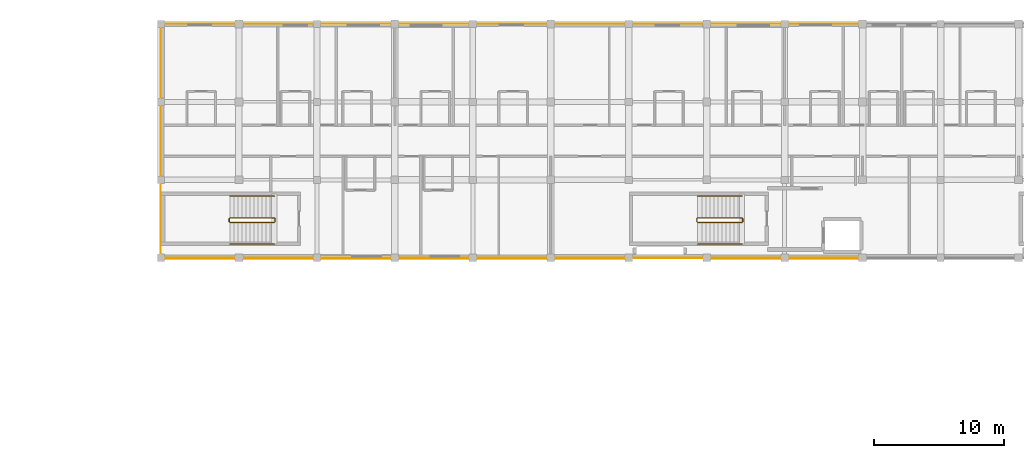
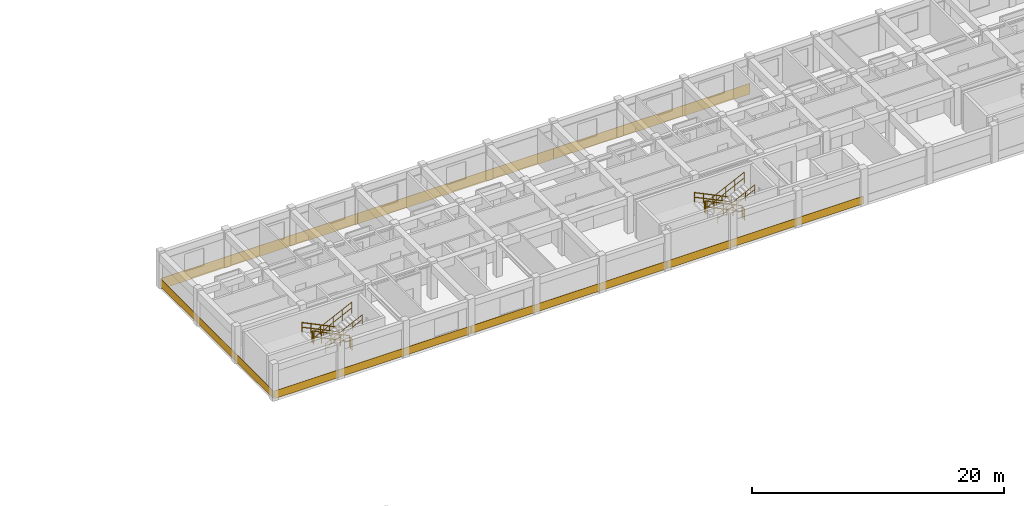
# One storey, part 21 of 25: 12 railings, 7 coverings.
"""IFC4 building model written with IfcOpenShell, lengths in metres."""

import ifcopenshell
import ifcopenshell.guid

model = None  # the IFC model being written
_history = None  # IfcOwnerHistory: only IFC2X3 demands one
_inside = {}  # id of a spatial element -> (the spatial element, [elements in it])
_under = {}  # id of a project, library or spatial element -> (it, [spatial elements below it])
_declared = {}  # id of a project -> (the project, [libraries it declares])
_typed = {}  # id of a type object -> (the type object, [elements of that type])
_made_of = {}  # id of a material, layer set ... -> (it, [elements and type objects made of it])


def new_model(schema):
    """Start an empty IFC model of exactly this schema.

    Asked for "IFC4X3", IfcOpenShell would pick the latest addendum, in which some entities
    have other attributes; the version numbers below select the first issue.
    IFC2X3 requires an IfcOwnerHistory on every rooted entity: one is made here for all.
    """
    global model, _history
    if schema == "IFC4X3":
        model = ifcopenshell.file(schema_version=(4, 3, 0, 0))
    else:
        model = ifcopenshell.file(schema=schema)
    _inside.clear()
    _under.clear()
    _declared.clear()
    _typed.clear()
    _made_of.clear()
    _history = None
    if model.schema == "IFC2X3":
        org = make("IfcOrganization", Name="unknown")
        user = make(
            "IfcPersonAndOrganization",
            ThePerson=make("IfcPerson", FamilyName="unknown"),
            TheOrganization=org,
        )
        app = make(
            "IfcApplication",
            ApplicationDeveloper=org,
            Version="unknown",
            ApplicationFullName="unknown",
            ApplicationIdentifier="unknown",
        )
        _history = make(
            "IfcOwnerHistory",
            OwningUser=user,
            OwningApplication=app,
            ChangeAction="ADDED",
            CreationDate=0,
        )
    return model


def make(cls, **values):
    """One entity of the class cls with the attributes given. An attribute that is None is left unset."""
    return model.create_entity(
        cls, **{name: value for name, value in values.items() if value is not None}
    )


def rooted(cls, **values):
    """An entity with a GlobalId (a new one), such as an element, a storey or a relation."""
    return make(cls, GlobalId=ifcopenshell.guid.new(), OwnerHistory=_history, **values)


def si_unit(unit_type, name, prefix=None):
    """IfcSIUnit, for example si_unit("LENGTHUNIT", "METRE", prefix="MILLI")."""
    return make("IfcSIUnit", UnitType=unit_type, Prefix=prefix, Name=name)


def assignment(units):
    """IfcUnitAssignment: the units of a project."""
    return None if units is None else make("IfcUnitAssignment", Units=units)


def point(xyz):
    """IfcCartesianPoint."""
    return None if xyz is None else make("IfcCartesianPoint", Coordinates=xyz)


def direction(xyz):
    """IfcDirection."""
    return None if xyz is None else make("IfcDirection", DirectionRatios=xyz)


def frame(location, z_axis=None, x_axis=None):
    """IfcAxis2Placement3D, a coordinate frame: its origin and axes. An axis left out is left unset."""
    return make(
        "IfcAxis2Placement3D",
        Location=point(location),
        Axis=direction(z_axis),
        RefDirection=direction(x_axis),
    )


def frame_2d(location, x_axis=None):
    """IfcAxis2Placement2D, a coordinate frame in the plane: its origin and x axis."""
    return make(
        "IfcAxis2Placement2D", Location=point(location), RefDirection=direction(x_axis)
    )


def origin():
    """The frame at (0, 0, 0) with its axes left unset."""
    return frame((0.0, 0.0, 0.0))


def origin_2d():
    """The frame at (0, 0) in the plane with its x axis left unset."""
    return frame_2d((0.0, 0.0))


def place(relative_to, where):
    """IfcLocalPlacement: puts the frame where relative to a parent placement (None: the world)."""
    return make(
        "IfcLocalPlacement", PlacementRelTo=relative_to, RelativePlacement=where
    )


def context(
    kind, dimensions, precision=None, world=None, true_north=None, identifier=None
):
    """IfcGeometricRepresentationContext, for example the 3D "Model" context."""
    return make(
        "IfcGeometricRepresentationContext",
        ContextIdentifier=identifier,
        ContextType=kind,
        CoordinateSpaceDimension=dimensions,
        Precision=precision,
        WorldCoordinateSystem=world,
        TrueNorth=true_north,
    )


def subcontext(parent, identifier, kind, view, scale=None):
    """IfcGeometricRepresentationSubContext, for example "Body" below "Model"."""
    return make(
        "IfcGeometricRepresentationSubContext",
        ContextIdentifier=identifier,
        ContextType=kind,
        ParentContext=parent,
        TargetScale=scale,
        TargetView=view,
    )


def project(units=None, contexts=None):
    """IfcProject with its units and contexts."""
    return rooted(
        "IfcProject",
        Name="project",
        RepresentationContexts=contexts,
        UnitsInContext=assignment(units),
    )


def spatial(cls, under=None, at=None, **own):
    """A site, building, storey or space (cls), placed at a placement, below another one or the project."""
    s = rooted(cls, ObjectPlacement=at, **own)
    if under is not None:
        _under.setdefault(under.id(), (under, []))[1].append(s)
    return s


def polyline(points):
    """IfcPolyline through the points."""
    return make("IfcPolyline", Points=[point(p) for p in points])


def profile(cls, at=None, kind="AREA", **sizes):
    """A parametric profile (cls). Its sizes go by their IFC names, for example OverallWidth=200.0."""
    return make(cls, ProfileType=kind, Position=at, **sizes)


def circle(**sizes):
    """IfcCircleProfileDef."""
    return profile("IfcCircleProfileDef", **sizes)


def outline(outer, holes=None, kind="AREA"):
    """IfcArbitraryClosedProfileDef: a profile drawn as a closed curve; with holes, ...WithVoids."""
    if holes is None:
        return make("IfcArbitraryClosedProfileDef", ProfileType=kind, OuterCurve=outer)
    return make(
        "IfcArbitraryProfileDefWithVoids",
        ProfileType=kind,
        OuterCurve=outer,
        InnerCurves=holes,
    )


def extrude(swept, where, along, depth):
    """IfcExtrudedAreaSolid: the profile swept, set in the frame where, extruded along a direction by depth."""
    return make(
        "IfcExtrudedAreaSolid",
        SweptArea=swept,
        Position=where,
        ExtrudedDirection=direction(along),
        Depth=depth,
    )


def shape(context_of_items, identifier, shape_type, items):
    """IfcShapeRepresentation: the items that make up one representation, for example the "Body"."""
    return make(
        "IfcShapeRepresentation",
        ContextOfItems=context_of_items,
        RepresentationIdentifier=identifier,
        RepresentationType=shape_type,
        Items=items,
    )


def material(Name=None, Category=None):
    """IfcMaterial."""
    return make("IfcMaterial", Name=Name, Category=Category)


def layer(
    of_material, thickness, ventilated=None, Name=None, Category=None, Priority=None
):
    """IfcMaterialLayer: one layer of a wall or slab, of a material (None: an air gap)."""
    return make(
        "IfcMaterialLayer",
        Material=of_material,
        LayerThickness=thickness,
        IsVentilated=ventilated,
        Name=Name,
        Category=Category,
        Priority=Priority,
    )


def layer_set(layers, Name=None):
    """IfcMaterialLayerSet."""
    return make("IfcMaterialLayerSet", MaterialLayers=layers, LayerSetName=Name)


def made_of(thing, what):
    """Note that an element or type object is made of a material, layer set ...; save() writes the relation."""
    if what is not None:
        _made_of.setdefault(what.id(), (what, []))[1].append(thing)
    return thing


def type_object(cls, material=None, **own):
    """A type object (cls), such as IfcWallType, which elements share."""
    return made_of(rooted(cls, **own), material)


def element(
    cls,
    number,
    at=None,
    inside=None,
    cuts=None,
    type_object=None,
    material=None,
    context=None,
    identifier="Body",
    shape_type=None,
    held_by="IfcProductDefinitionShape",
    body=None,
    shapes=None,
    **own,
):
    """One element of the class cls, such as IfcWall. Its Tag is "e" and its number.

    at: its placement. inside: the storey or other place that contains it. cuts: it is an
    opening in that element (IfcRelVoidsElement). A single representation is given by context,
    identifier, shape_type and body (its items); several are given by shapes. held_by: the class
    of the entity that holds the representations. save() writes the other relations.
    """
    e = rooted(cls, Tag="e%d" % number, ObjectPlacement=at, **own)
    if body is not None:
        shapes = [shape(context, identifier, shape_type, body)]
    if shapes is not None:
        e.Representation = make(held_by, Representations=shapes)
    if inside is not None:
        _inside.setdefault(inside.id(), (inside, []))[1].append(e)
    if cuts is not None:
        rooted(
            "IfcRelVoidsElement", RelatingBuildingElement=cuts, RelatedOpeningElement=e
        )
    if type_object is not None:
        _typed.setdefault(type_object.id(), (type_object, []))[1].append(e)
    return made_of(e, material)


def aggregate(whole, parts):
    """IfcRelAggregates: a whole, such as a stair, and the parts it consists of."""
    return rooted("IfcRelAggregates", RelatingObject=whole, RelatedObjects=parts)


def save(model, path):
    """Write the relations noted so far, then the file.

    IfcRelAggregates (storeys below a building ...), IfcRelContainedInSpatialStructure (elements
    in a storey), IfcRelDefinesByType, IfcRelAssociatesMaterial and IfcRelDeclares: one each for
    every whole, place, type object, material and project.
    """
    for whole, parts in _under.values():
        aggregate(whole, parts)
    for where, things in _inside.values():
        rooted(
            "IfcRelContainedInSpatialStructure",
            RelatedElements=things,
            RelatingStructure=where,
        )
    for kind, things in _typed.values():
        rooted("IfcRelDefinesByType", RelatedObjects=things, RelatingType=kind)
    for what, things in _made_of.values():
        rooted("IfcRelAssociatesMaterial", RelatedObjects=things, RelatingMaterial=what)
    for by, libraries in _declared.values():
        rooted("IfcRelDeclares", RelatingContext=by, RelatedDefinitions=libraries)
    model.write(path)


model = new_model("IFC4")

# Units and contexts
model_context = context("Model", 3, precision=1e-05, world=origin(), true_north=direction((0.0, 1.0)))
body_context = subcontext(model_context, "Body", "Model", "MODEL_VIEW")
ifc_project = project(units=[si_unit("LENGTHUNIT", "METRE"), si_unit("AREAUNIT", "SQUARE_METRE"), si_unit("VOLUMEUNIT", "CUBIC_METRE"), si_unit("PLANEANGLEUNIT", "RADIAN"), si_unit("MASSUNIT", "GRAM", prefix="KILO"), si_unit("THERMODYNAMICTEMPERATUREUNIT", "KELVIN"), si_unit("POWERUNIT", "WATT")], contexts=[model_context])

# Site, building, storey
site_placement = place(None, origin())
site = spatial("IfcSite", under=ifc_project, at=site_placement, CompositionType="ELEMENT")
building_placement = place(site_placement, origin())
building = spatial("IfcBuilding", under=site, at=building_placement, Name="Phaisarnlok Congress Hotel", CompositionType="ELEMENT")
storey_placement = place(building_placement, frame((0.0, 0.0, 24.60009765625)))
storey = spatial("IfcBuildingStorey", under=building, at=storey_placement, Name="L05", CompositionType="ELEMENT", Elevation=24.60009765625)

# Coverings
ifc_material_1 = material(Name="Anodised Silver Aluminium Alloy 6063-T6", Category="aluminium")
ifc_layer = layer(ifc_material_1, 0.031982421875, Name="Anodised Silver Aluminium Alloy 6063-T6")
ifc_layer_set = layer_set([ifc_layer], Name="Anodised Silver Aluminium Alloy 6063-T6")
covering_type = type_object("IfcCoveringType", Name="COV-SPAND-ALU", PredefinedType="CLADDING", material=ifc_layer_set)
for number, where, z_axis, x_axis, name in (
    (1, (84.06005859375, 125.9951171875, -0.280029296875), (0.0, 1.0, 0.0), (-1.0, 0.0, 0.0), "Swiss minimalist anodised silver rainscreen band CL-02 (L05 N)"),
    (2, (102.06005859375, 125.9951171875, -0.280029296875), (0.0, 1.0, 0.0), (-1.0, 0.0, 0.0), "Swiss minimalist anodised silver rainscreen band CL-02 (L05 N)"),
    (3, (120.06005859375, 125.9951171875, -0.280029296875), (0.0, 1.0, 0.0), (-1.0, 0.0, 0.0), "Swiss minimalist anodised silver rainscreen band CL-02 (L05 N)"),
):
    element("IfcCovering", number, at=place(storey_placement, frame(where, z_axis=z_axis, x_axis=x_axis)), inside=storey, type_object=covering_type, Name=name, PredefinedType="CLADDING", context=body_context, shape_type="SweptSolid", body=[
        extrude(outline(polyline([(0.0, 0.0), (18.0, 0.0), (18.0, 1.050048828125), (0.0, 1.050048828125), (0.0, 0.0)])), origin(), (0.0, 0.0, 1.0), 0.031982421875),
    ])
for number, where, z_axis, x_axis, name in (
    (4, (66.06005859375, 108.0048828125, 0.02001953125), (0.0, -1.0, 0.0), (1.0, 0.0, 0.0), "Swiss minimalist anodised silver rainscreen band CL-02 (L05 S)"),
    (5, (84.06005859375, 108.0048828125, 0.02001953125), (0.0, -1.0, 0.0), (1.0, 0.0, 0.0), "Swiss minimalist anodised silver rainscreen band CL-02 (L05 S)"),
    (6, (102.06005859375, 108.0048828125, 0.02001953125), (0.0, -1.0, 0.0), (1.0, 0.0, 0.0), "Swiss minimalist anodised silver rainscreen band CL-02 (L05 S)"),
):
    element("IfcCovering", number, at=place(storey_placement, frame(where, z_axis=z_axis, x_axis=x_axis)), inside=storey, type_object=covering_type, Name=name, PredefinedType="CLADDING", context=body_context, shape_type="SweptSolid", body=[
        extrude(outline(polyline([(0.0, 0.0), (18.0, 0.0), (18.0, 0.75), (0.0, 0.75), (0.0, 0.0)])), origin(), (0.0, 0.0, 1.0), 0.031982421875),
    ])
covering_placement = place(storey_placement, frame((66.0048828125, 125.93994140625, 0.02001953125), z_axis=(-1.0, 0.0, 0.0), x_axis=(0.0, -1.0, 0.0)))
element("IfcCovering", 7, at=covering_placement, inside=storey, type_object=covering_type, Name="Swiss minimalist anodised silver rainscreen band CL-02 (L05 WG)", PredefinedType="CLADDING", context=body_context, shape_type="SweptSolid", body=[
    extrude(outline(polyline([(0.0, 0.0), (17.8798828125, 0.0), (17.8798828125, 0.75), (0.0, 0.75), (0.0, 0.0)])), origin(), (0.0, 0.0, 1.0), 0.031982421875),
])

# Railings
ifc_material_2 = material(Name="Painted Galvanised Steel S275", Category="steel")
railing_type_1 = type_object("IfcRailingType", Name="RLG-STR-GUARD", PredefinedType="BALUSTRADE", material=ifc_material_2)
railing_1_placement = place(storey_placement, frame((110.719970703125, 111.070068359375, 0.14990234375)))
element("IfcRailing", 8, at=railing_1_placement, inside=storey, type_object=railing_type_1, Name="L05 ST-07 stair guard 1", PredefinedType="BALUSTRADE", context=body_context, shape_type="SweptSolid", body=[
    extrude(circle(Radius=0.02392578125, at=origin_2d()), frame((0.0, 0.0, 1.076171875), z_axis=(-0.900164957231, 0.0, 0.435549135889), x_axis=(0.0, -1.0, 0.0)), (0.0, 0.0, 1.0), 3.7880859375),
    extrude(circle(Radius=0.02392578125, at=origin_2d()), frame((0.0, 0.0, 0.52587890625), z_axis=(-0.900164957231, 0.0, 0.435549135889), x_axis=(0.0, -1.0, 0.0)), (0.0, 0.0, 1.0), 3.7880859375),
    extrude(circle(Radius=0.02099609375, at=origin_2d()), origin(), (0.0, 0.0, 1.0), 1.052001953125),
    extrude(circle(Radius=0.02099609375, at=origin_2d()), frame((-0.8525390625, 0.0, 0.41259765625)), (0.0, 0.0, 1.0), 1.052001953125),
    extrude(circle(Radius=0.02099609375, at=origin_2d()), frame((-1.705078125, 0.0, 0.824951171875)), (0.0, 0.0, 1.0), 1.052001953125),
    extrude(circle(Radius=0.02099609375, at=origin_2d()), frame((-2.557373046875, 0.0, 1.2373046875)), (0.0, 0.0, 1.0), 1.052001953125),
    extrude(circle(Radius=0.02099609375, at=origin_2d()), frame((-3.409912109375, 0.0, 1.64990234375)), (0.0, 0.0, 1.0), 1.052001953125),
])
railing_2_placement = place(storey_placement, frame((107.260009765625, 111.02001953125, 1.7998046875)))
element("IfcRailing", 9, at=railing_2_placement, inside=storey, type_object=railing_type_1, Name="L05 ST-07 stair guard 2", PredefinedType="BALUSTRADE", context=body_context, shape_type="SweptSolid", body=[
    extrude(circle(Radius=0.02392578125, at=origin_2d()), frame((0.0, 0.0, 1.076171875), z_axis=(0.0, -1.0, 0.0), x_axis=(1.0, 0.0, 0.0)), (0.0, 0.0, 1.0), 0.239990234375),
    extrude(circle(Radius=0.02392578125, at=origin_2d()), frame((0.0, 0.0, 0.52587890625), z_axis=(0.0, -1.0, 0.0), x_axis=(1.0, 0.0, 0.0)), (0.0, 0.0, 1.0), 0.239990234375),
    extrude(circle(Radius=0.02099609375, at=origin_2d()), origin(), (0.0, 0.0, 1.0), 1.052001953125),
    extrude(circle(Radius=0.02099609375, at=origin_2d()), frame((0.0, -0.239990234375, 0.0)), (0.0, 0.0, 1.0), 1.052001953125),
])
railing_3_placement = place(storey_placement, frame((107.31005859375, 110.72998046875, 1.949951171875)))
element("IfcRailing", 10, at=railing_3_placement, inside=storey, type_object=railing_type_1, Name="L05 ST-07 stair guard 3", PredefinedType="BALUSTRADE", context=body_context, shape_type="SweptSolid", body=[
    extrude(circle(Radius=0.02392578125, at=origin_2d()), frame((0.0, 0.0, 1.076171875), z_axis=(0.900164957231, 0.0, 0.435549135889), x_axis=(0.0, 1.0, 0.0)), (0.0, 0.0, 1.0), 3.7880859375),
    extrude(circle(Radius=0.02392578125, at=origin_2d()), frame((0.0, 0.0, 0.52587890625), z_axis=(0.900164957231, 0.0, 0.435549135889), x_axis=(0.0, 1.0, 0.0)), (0.0, 0.0, 1.0), 3.7880859375),
    extrude(circle(Radius=0.02099609375, at=origin_2d()), origin(), (0.0, 0.0, 1.0), 1.052001953125),
    extrude(circle(Radius=0.02099609375, at=origin_2d()), frame((0.8525390625, 0.0, 0.41259765625)), (0.0, 0.0, 1.0), 1.052001953125),
    extrude(circle(Radius=0.02099609375, at=origin_2d()), frame((1.705078125, 0.0, 0.824951171875)), (0.0, 0.0, 1.0), 1.052001953125),
    extrude(circle(Radius=0.02099609375, at=origin_2d()), frame((2.557373046875, 0.0, 1.2373046875)), (0.0, 0.0, 1.0), 1.052001953125),
    extrude(circle(Radius=0.02099609375, at=origin_2d()), frame((3.409912109375, 0.0, 1.64990234375)), (0.0, 0.0, 1.0), 1.052001953125),
])
railing_4_placement = place(storey_placement, frame((110.77001953125, 111.02001953125, 0.0)))
element("IfcRailing", 11, at=railing_4_placement, inside=storey, type_object=railing_type_1, Name="L05 ST-07 stair guard 4", PredefinedType="BALUSTRADE", context=body_context, shape_type="SweptSolid", body=[
    extrude(circle(Radius=0.02392578125, at=origin_2d()), frame((0.0, 0.0, 1.076171875), z_axis=(0.0, -1.0, 0.0), x_axis=(1.0, 0.0, 0.0)), (0.0, 0.0, 1.0), 0.239990234375),
    extrude(circle(Radius=0.02392578125, at=origin_2d()), frame((0.0, 0.0, 0.52587890625), z_axis=(0.0, -1.0, 0.0), x_axis=(1.0, 0.0, 0.0)), (0.0, 0.0, 1.0), 0.239990234375),
    extrude(circle(Radius=0.02099609375, at=origin_2d()), origin(), (0.0, 0.0, 1.0), 1.052001953125),
    extrude(circle(Radius=0.02099609375, at=origin_2d()), frame((0.0, -0.239990234375, 0.0)), (0.0, 0.0, 1.0), 1.052001953125),
])
railing_5_placement = place(storey_placement, frame((74.719970703125, 111.070068359375, 0.14990234375)))
element("IfcRailing", 12, at=railing_5_placement, inside=storey, type_object=railing_type_1, Name="L05 ST-10 stair guard 1", PredefinedType="BALUSTRADE", context=body_context, shape_type="SweptSolid", body=[
    extrude(circle(Radius=0.02392578125, at=origin_2d()), frame((0.0, 0.0, 1.076171875), z_axis=(-0.900164957231, 0.0, 0.435549135889), x_axis=(0.0, -1.0, 0.0)), (0.0, 0.0, 1.0), 3.7880859375),
    extrude(circle(Radius=0.02392578125, at=origin_2d()), frame((0.0, 0.0, 0.52587890625), z_axis=(-0.900164957231, 0.0, 0.435549135889), x_axis=(0.0, -1.0, 0.0)), (0.0, 0.0, 1.0), 3.7880859375),
    extrude(circle(Radius=0.02099609375, at=origin_2d()), origin(), (0.0, 0.0, 1.0), 1.052001953125),
    extrude(circle(Radius=0.02099609375, at=origin_2d()), frame((-0.8525390625, 0.0, 0.41259765625)), (0.0, 0.0, 1.0), 1.052001953125),
    extrude(circle(Radius=0.02099609375, at=origin_2d()), frame((-1.705078125, 0.0, 0.824951171875)), (0.0, 0.0, 1.0), 1.052001953125),
    extrude(circle(Radius=0.02099609375, at=origin_2d()), frame((-2.557373046875, 0.0, 1.2373046875)), (0.0, 0.0, 1.0), 1.052001953125),
    extrude(circle(Radius=0.02099609375, at=origin_2d()), frame((-3.409912109375, 0.0, 1.64990234375)), (0.0, 0.0, 1.0), 1.052001953125),
])
railing_6_placement = place(storey_placement, frame((71.260009765625, 111.02001953125, 1.7998046875)))
element("IfcRailing", 13, at=railing_6_placement, inside=storey, type_object=railing_type_1, Name="L05 ST-10 stair guard 2", PredefinedType="BALUSTRADE", context=body_context, shape_type="SweptSolid", body=[
    extrude(circle(Radius=0.02392578125, at=origin_2d()), frame((0.0, 0.0, 1.076171875), z_axis=(0.0, -1.0, 0.0), x_axis=(1.0, 0.0, 0.0)), (0.0, 0.0, 1.0), 0.239990234375),
    extrude(circle(Radius=0.02392578125, at=origin_2d()), frame((0.0, 0.0, 0.52587890625), z_axis=(0.0, -1.0, 0.0), x_axis=(1.0, 0.0, 0.0)), (0.0, 0.0, 1.0), 0.239990234375),
    extrude(circle(Radius=0.02099609375, at=origin_2d()), origin(), (0.0, 0.0, 1.0), 1.052001953125),
    extrude(circle(Radius=0.02099609375, at=origin_2d()), frame((0.0, -0.239990234375, 0.0)), (0.0, 0.0, 1.0), 1.052001953125),
])
railing_7_placement = place(storey_placement, frame((71.31005859375, 110.72998046875, 1.949951171875)))
element("IfcRailing", 14, at=railing_7_placement, inside=storey, type_object=railing_type_1, Name="L05 ST-10 stair guard 3", PredefinedType="BALUSTRADE", context=body_context, shape_type="SweptSolid", body=[
    extrude(circle(Radius=0.02392578125, at=origin_2d()), frame((0.0, 0.0, 1.076171875), z_axis=(0.900164957231, 0.0, 0.435549135889), x_axis=(0.0, 1.0, 0.0)), (0.0, 0.0, 1.0), 3.7880859375),
    extrude(circle(Radius=0.02392578125, at=origin_2d()), frame((0.0, 0.0, 0.52587890625), z_axis=(0.900164957231, 0.0, 0.435549135889), x_axis=(0.0, 1.0, 0.0)), (0.0, 0.0, 1.0), 3.7880859375),
    extrude(circle(Radius=0.02099609375, at=origin_2d()), origin(), (0.0, 0.0, 1.0), 1.052001953125),
    extrude(circle(Radius=0.02099609375, at=origin_2d()), frame((0.8525390625, 0.0, 0.41259765625)), (0.0, 0.0, 1.0), 1.052001953125),
    extrude(circle(Radius=0.02099609375, at=origin_2d()), frame((1.705078125, 0.0, 0.824951171875)), (0.0, 0.0, 1.0), 1.052001953125),
    extrude(circle(Radius=0.02099609375, at=origin_2d()), frame((2.557373046875, 0.0, 1.2373046875)), (0.0, 0.0, 1.0), 1.052001953125),
    extrude(circle(Radius=0.02099609375, at=origin_2d()), frame((3.409912109375, 0.0, 1.64990234375)), (0.0, 0.0, 1.0), 1.052001953125),
])
railing_8_placement = place(storey_placement, frame((74.77001953125, 111.02001953125, 0.0)))
element("IfcRailing", 15, at=railing_8_placement, inside=storey, type_object=railing_type_1, Name="L05 ST-10 stair guard 4", PredefinedType="BALUSTRADE", context=body_context, shape_type="SweptSolid", body=[
    extrude(circle(Radius=0.02392578125, at=origin_2d()), frame((0.0, 0.0, 1.076171875), z_axis=(0.0, -1.0, 0.0), x_axis=(1.0, 0.0, 0.0)), (0.0, 0.0, 1.0), 0.239990234375),
    extrude(circle(Radius=0.02392578125, at=origin_2d()), frame((0.0, 0.0, 0.52587890625), z_axis=(0.0, -1.0, 0.0), x_axis=(1.0, 0.0, 0.0)), (0.0, 0.0, 1.0), 0.239990234375),
    extrude(circle(Radius=0.02099609375, at=origin_2d()), origin(), (0.0, 0.0, 1.0), 1.052001953125),
    extrude(circle(Radius=0.02099609375, at=origin_2d()), frame((0.0, -0.239990234375, 0.0)), (0.0, 0.0, 1.0), 1.052001953125),
])
ifc_material_3 = material(Name="Brushed Stainless Steel Grade 304", Category="steel")
railing_type_2 = type_object("IfcRailingType", Name="RLG-STR-HRAIL", PredefinedType="HANDRAIL", material=ifc_material_3)
railing_9_placement = place(storey_placement, frame((110.719970703125, 112.75, 0.14990234375)))
element("IfcRailing", 16, at=railing_9_placement, inside=storey, type_object=railing_type_2, Name="L05 ST-07 stair handrail 1", PredefinedType="HANDRAIL", context=body_context, shape_type="SweptSolid", body=[
    extrude(circle(Radius=0.02392578125, at=origin_2d()), frame((0.0, 0.0, 0.8759765625), z_axis=(-0.900164957231, 0.0, 0.435549135889), x_axis=(0.0, -1.0, 0.0)), (0.0, 0.0, 1.0), 3.7880859375),
    extrude(circle(Radius=0.02392578125, at=origin_2d()), frame((0.0, 0.0, 0.42578125), z_axis=(-0.900164957231, 0.0, 0.435549135889), x_axis=(0.0, -1.0, 0.0)), (0.0, 0.0, 1.0), 3.7880859375),
    extrude(circle(Radius=0.02099609375, at=origin_2d()), origin(), (0.0, 0.0, 1.0), 0.851806640625),
    extrude(circle(Radius=0.02099609375, at=origin_2d()), frame((-0.8525390625, 0.0, 0.41259765625)), (0.0, 0.0, 1.0), 0.851806640625),
    extrude(circle(Radius=0.02099609375, at=origin_2d()), frame((-1.705078125, 0.0, 0.824951171875)), (0.0, 0.0, 1.0), 0.851806640625),
    extrude(circle(Radius=0.02099609375, at=origin_2d()), frame((-2.557373046875, 0.0, 1.2373046875)), (0.0, 0.0, 1.0), 0.851806640625),
    extrude(circle(Radius=0.02099609375, at=origin_2d()), frame((-3.409912109375, 0.0, 1.64990234375)), (0.0, 0.0, 1.0), 0.851806640625),
])
railing_10_placement = place(storey_placement, frame((107.31005859375, 109.050048828125, 1.949951171875)))
element("IfcRailing", 17, at=railing_10_placement, inside=storey, type_object=railing_type_2, Name="L05 ST-07 stair handrail 2", PredefinedType="HANDRAIL", context=body_context, shape_type="SweptSolid", body=[
    extrude(circle(Radius=0.02392578125, at=origin_2d()), frame((0.0, 0.0, 0.8759765625), z_axis=(0.900164957231, 0.0, 0.435549135889), x_axis=(0.0, 1.0, 0.0)), (0.0, 0.0, 1.0), 3.7880859375),
    extrude(circle(Radius=0.02392578125, at=origin_2d()), frame((0.0, 0.0, 0.42578125), z_axis=(0.900164957231, 0.0, 0.435549135889), x_axis=(0.0, 1.0, 0.0)), (0.0, 0.0, 1.0), 3.7880859375),
    extrude(circle(Radius=0.02099609375, at=origin_2d()), origin(), (0.0, 0.0, 1.0), 0.851806640625),
    extrude(circle(Radius=0.02099609375, at=origin_2d()), frame((0.8525390625, 0.0, 0.41259765625)), (0.0, 0.0, 1.0), 0.851806640625),
    extrude(circle(Radius=0.02099609375, at=origin_2d()), frame((1.705078125, 0.0, 0.824951171875)), (0.0, 0.0, 1.0), 0.851806640625),
    extrude(circle(Radius=0.02099609375, at=origin_2d()), frame((2.557373046875, 0.0, 1.2373046875)), (0.0, 0.0, 1.0), 0.851806640625),
    extrude(circle(Radius=0.02099609375, at=origin_2d()), frame((3.409912109375, 0.0, 1.64990234375)), (0.0, 0.0, 1.0), 0.851806640625),
])
railing_11_placement = place(storey_placement, frame((74.719970703125, 112.75, 0.14990234375)))
element("IfcRailing", 18, at=railing_11_placement, inside=storey, type_object=railing_type_2, Name="L05 ST-10 stair handrail 1", PredefinedType="HANDRAIL", context=body_context, shape_type="SweptSolid", body=[
    extrude(circle(Radius=0.02392578125, at=origin_2d()), frame((0.0, 0.0, 0.8759765625), z_axis=(-0.900164957231, 0.0, 0.435549135889), x_axis=(0.0, -1.0, 0.0)), (0.0, 0.0, 1.0), 3.7880859375),
    extrude(circle(Radius=0.02392578125, at=origin_2d()), frame((0.0, 0.0, 0.42578125), z_axis=(-0.900164957231, 0.0, 0.435549135889), x_axis=(0.0, -1.0, 0.0)), (0.0, 0.0, 1.0), 3.7880859375),
    extrude(circle(Radius=0.02099609375, at=origin_2d()), origin(), (0.0, 0.0, 1.0), 0.851806640625),
    extrude(circle(Radius=0.02099609375, at=origin_2d()), frame((-0.8525390625, 0.0, 0.41259765625)), (0.0, 0.0, 1.0), 0.851806640625),
    extrude(circle(Radius=0.02099609375, at=origin_2d()), frame((-1.705078125, 0.0, 0.824951171875)), (0.0, 0.0, 1.0), 0.851806640625),
    extrude(circle(Radius=0.02099609375, at=origin_2d()), frame((-2.557373046875, 0.0, 1.2373046875)), (0.0, 0.0, 1.0), 0.851806640625),
    extrude(circle(Radius=0.02099609375, at=origin_2d()), frame((-3.409912109375, 0.0, 1.64990234375)), (0.0, 0.0, 1.0), 0.851806640625),
])
railing_12_placement = place(storey_placement, frame((71.31005859375, 109.050048828125, 1.949951171875)))
element("IfcRailing", 19, at=railing_12_placement, inside=storey, type_object=railing_type_2, Name="L05 ST-10 stair handrail 2", PredefinedType="HANDRAIL", context=body_context, shape_type="SweptSolid", body=[
    extrude(circle(Radius=0.02392578125, at=origin_2d()), frame((0.0, 0.0, 0.8759765625), z_axis=(0.900164957231, 0.0, 0.435549135889), x_axis=(0.0, 1.0, 0.0)), (0.0, 0.0, 1.0), 3.7880859375),
    extrude(circle(Radius=0.02392578125, at=origin_2d()), frame((0.0, 0.0, 0.42578125), z_axis=(0.900164957231, 0.0, 0.435549135889), x_axis=(0.0, 1.0, 0.0)), (0.0, 0.0, 1.0), 3.7880859375),
    extrude(circle(Radius=0.02099609375, at=origin_2d()), origin(), (0.0, 0.0, 1.0), 0.851806640625),
    extrude(circle(Radius=0.02099609375, at=origin_2d()), frame((0.8525390625, 0.0, 0.41259765625)), (0.0, 0.0, 1.0), 0.851806640625),
    extrude(circle(Radius=0.02099609375, at=origin_2d()), frame((1.705078125, 0.0, 0.824951171875)), (0.0, 0.0, 1.0), 0.851806640625),
    extrude(circle(Radius=0.02099609375, at=origin_2d()), frame((2.557373046875, 0.0, 1.2373046875)), (0.0, 0.0, 1.0), 0.851806640625),
    extrude(circle(Radius=0.02099609375, at=origin_2d()), frame((3.409912109375, 0.0, 1.64990234375)), (0.0, 0.0, 1.0), 0.851806640625),
])

save(model, "model.ifc")
